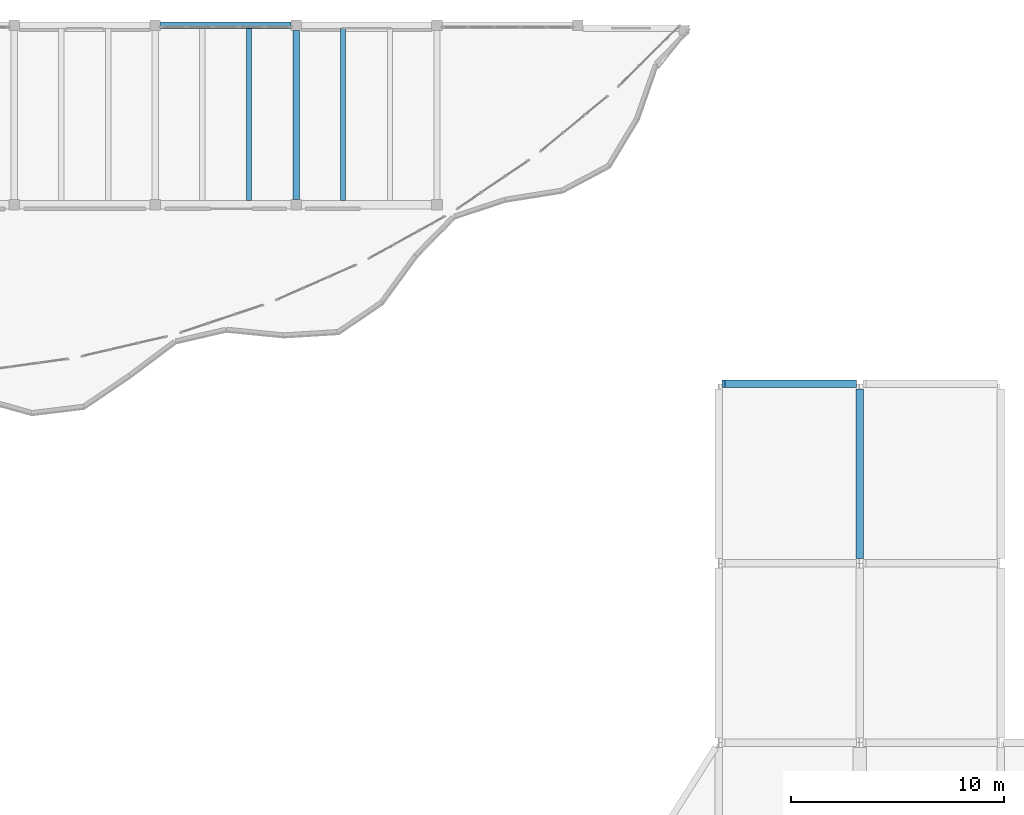
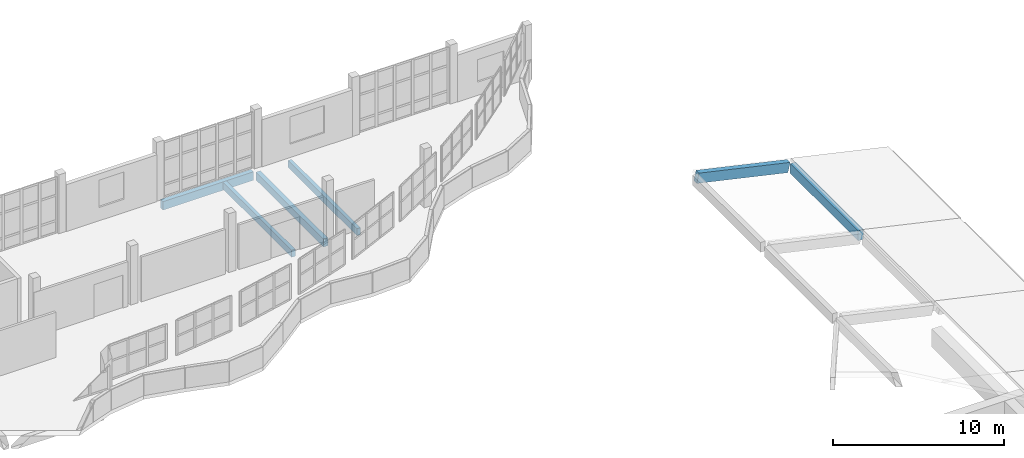
# One storey, part 22 of 47: 6 beams.
"""IFC4 building model written with IfcOpenShell, lengths in metres."""

from ifc_helpers import new_model, si_unit, direction, frame, origin, origin_2d, place, context, subcontext, project, spatial, rectangle, extrude, material, material_profile, profile_set, type_object, element, save


model = new_model("IFC4")

# Units and contexts
model_context = context("Model", 3, precision=1e-05, world=origin(), true_north=direction((0.0, 1.0)))
body_context = subcontext(model_context, "Body", "Model", "MODEL_VIEW")
ifc_project = project(units=[si_unit("LENGTHUNIT", "METRE"), si_unit("AREAUNIT", "SQUARE_METRE"), si_unit("VOLUMEUNIT", "CUBIC_METRE"), si_unit("PLANEANGLEUNIT", "RADIAN"), si_unit("MASSUNIT", "GRAM", prefix="KILO")], contexts=[model_context])

# Site, building, storey
site_placement = place(None, origin())
site = spatial("IfcSite", under=ifc_project, at=site_placement, CompositionType="ELEMENT")
building_placement = place(site_placement, origin())
building = spatial("IfcBuilding", under=site, at=building_placement, Name="Qaldarim Faculty of Natural and Applied Sciences", CompositionType="ELEMENT")
storey_placement = place(building_placement, frame((0.0, 0.0, 22.800048828125)))
storey = spatial("IfcBuildingStorey", under=building, at=storey_placement, Name="L05", CompositionType="ELEMENT", Elevation=22.800048828125)

# Beams
ifc_material_1 = material(Name="Concrete C40/50", Category="concrete")
ifc_material_profile_1 = material_profile(ifc_material_1, rectangle(XDim=0.300048828125, YDim=0.550048828125, at=origin_2d()), Name="RC-B300x550")
ifc_profile_set_1 = profile_set([ifc_material_profile_1], Name="Concrete C40/50")
beam_type_1 = type_object("IfcBeamType", Name="FloorBeam-RC300x550", PredefinedType="BEAM", material=ifc_profile_set_1)
beam_1_placement = place(storey_placement, frame((132.0, 109.449951171875, -0.53515625), z_axis=(0.0, 1.0, 0.0), x_axis=(-1.0, 0.0, 0.0)))
element("IfcBeam", 1, at=beam_1_placement, inside=storey, type_object=beam_type_1, Name="Beam RC-B300x550 L04 X21/Y14-Y15", PredefinedType="BEAM", context=body_context, shape_type="SweptSolid", body=[
    extrude(rectangle(XDim=0.300048828125, YDim=0.550048828125, at=origin_2d()), origin(), (0.0, 0.0, 1.0), 7.900146484375),
])
ifc_material_profile_2 = material_profile(ifc_material_1, rectangle(XDim=0.239990234375, YDim=0.5, at=origin_2d()), Name="RC-J240x500")
ifc_profile_set_2 = profile_set([ifc_material_profile_2], Name="Concrete C40/50")
beam_type_2 = type_object("IfcBeamType", Name="HeavyJoist-RC240x500", PredefinedType="JOIST", material=ifc_profile_set_2)
for number, where, z_axis, x_axis, name in (
    (2, (129.800048828125, 109.39990234375, -0.510009765625), (0.0, 1.0, 0.0), (-1.0, 0.0, 0.0), "Laboratory joist L04 bay X20Y14-2"),
    (3, (134.199951171875, 109.39990234375, -0.510009765625), (0.0, 1.0, 0.0), (-1.0, 0.0, 0.0), "Laboratory joist L04 bay X21Y14-1"),
):
    element("IfcBeam", number, at=place(storey_placement, frame(where, z_axis=z_axis, x_axis=x_axis)), inside=storey, type_object=beam_type_2, Name=name, PredefinedType="JOIST", context=body_context, shape_type="SweptSolid", body=[
        extrude(rectangle(XDim=0.239990234375, YDim=0.5, at=origin_2d()), origin(), (0.0, 0.0, 1.0), 8.050048828125),
    ])
ifc_material_profile_3 = material_profile(ifc_material_1, rectangle(XDim=0.35009765625, YDim=0.699951171875, at=origin_2d()), Name="RC-B350x700")
ifc_profile_set_3 = profile_set([ifc_material_profile_3], Name="Concrete C40/50")
beam_type_3 = type_object("IfcBeamType", Name="PrimaryGirder-RC350x700", PredefinedType="BEAM", material=ifc_profile_set_3)
beam_2_placement = place(storey_placement, frame((152.02490234375, 100.800048828125, 2.3798828125), z_axis=(0.975568062803, 0.0, -0.219697416549), x_axis=(0.0, 1.0, 0.0)))
element("IfcBeam", 4, at=beam_2_placement, inside=storey, type_object=beam_type_3, Name="Commons folded roof rafter X24-X25/Y13", PredefinedType="BEAM", context=body_context, shape_type="SweptSolid", body=[
    extrude(rectangle(XDim=0.35009765625, YDim=0.699951171875, at=origin_2d()), origin(), (0.0, 0.0, 1.0), 6.30419921875),
])
beam_3_placement = place(storey_placement, frame((158.39990234375, 92.625, 0.949951171875), z_axis=(0.0, 0.999999207337, -0.001259096751), x_axis=(-1.0, 0.0, 0.0)))
element("IfcBeam", 5, at=beam_3_placement, inside=storey, type_object=beam_type_3, Name="Commons roof ridge/eave beam X25/Y12-Y13", PredefinedType="BEAM", context=body_context, shape_type="SweptSolid", body=[
    extrude(rectangle(XDim=0.35009765625, YDim=0.699951171875, at=origin_2d()), origin(), (0.0, 0.0, 1.0), 7.949951171875),
])
ifc_material_2 = material(Name="Precast concrete C40/50", Category="concrete")
ifc_material_profile_4 = material_profile(ifc_material_2, rectangle(XDim=0.300048828125, YDim=0.60009765625, at=origin_2d()), Name="RC-SP300x600")
ifc_profile_set_4 = profile_set([ifc_material_profile_4], Name="Precast concrete C40/50")
beam_type_4 = type_object("IfcBeamType", Name="SpandrelBeam-RC300x600", PredefinedType="SPANDREL", material=ifc_profile_set_4)
beam_4_placement = place(storey_placement, frame((125.64990234375, 117.60009765625, -0.56005859375), z_axis=(1.0, 0.0, 0.0), x_axis=(0.0, 1.0, 0.0)))
element("IfcBeam", 6, at=beam_4_placement, inside=storey, type_object=beam_type_4, Name="Beam RC-SP300x600 L04 X20-X21/Y15", PredefinedType="SPANDREL", context=body_context, shape_type="SweptSolid", body=[
    extrude(rectangle(XDim=0.300048828125, YDim=0.60009765625, at=origin_2d()), origin(), (0.0, 0.0, 1.0), 6.10009765625),
])

save(model, "model.ifc")
